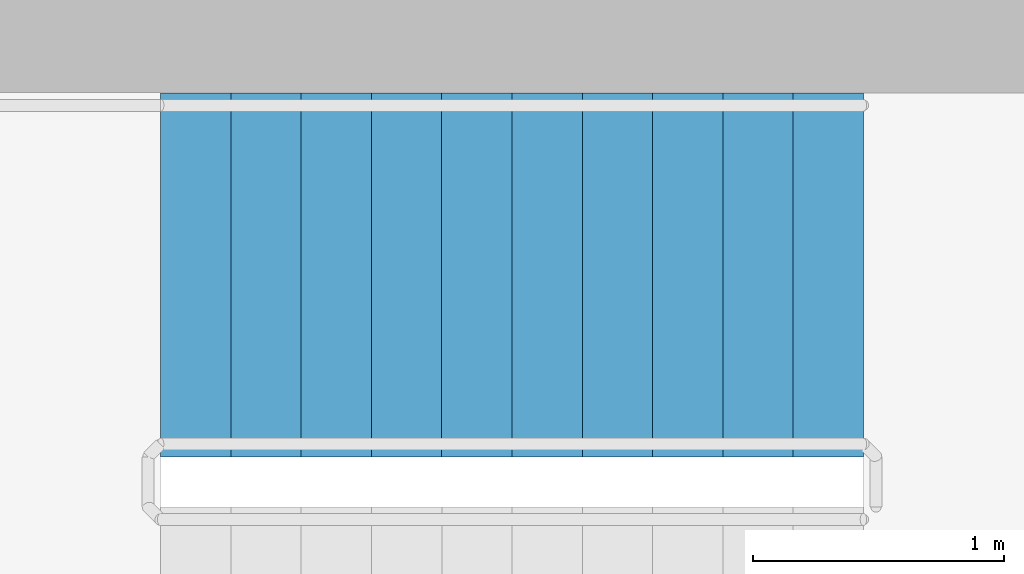
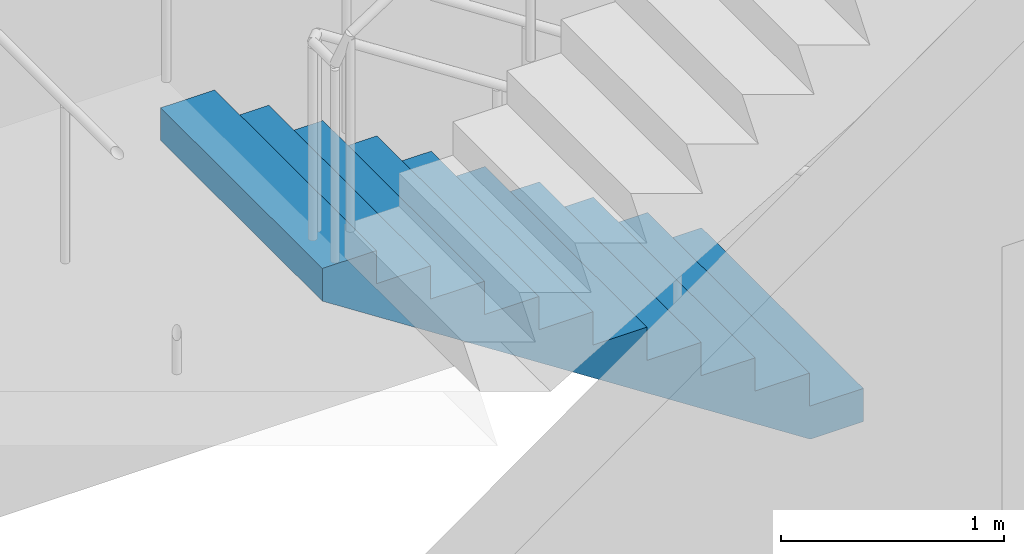
# One storey, part 10 of 12: 1 stair flight, 1 element without a shape of its own.
"""IFC4 building model written with IfcOpenShell, lengths in metres."""

from ifc_helpers import new_model, si_unit, direction, frame, origin, place, context, subcontext, project, spatial, polyline, outline, extrude, material, type_object, element, aggregate, save


model = new_model("IFC4")

# Units and contexts
model_context = context("Model", 3, precision=1e-05, world=origin(), true_north=direction((0.0, 1.0)))
body_context = subcontext(model_context, "Body", "Model", "MODEL_VIEW")
ifc_project = project(units=[si_unit("LENGTHUNIT", "METRE"), si_unit("AREAUNIT", "SQUARE_METRE"), si_unit("VOLUMEUNIT", "CUBIC_METRE"), si_unit("PLANEANGLEUNIT", "RADIAN"), si_unit("MASSUNIT", "GRAM", prefix="KILO")], contexts=[model_context])

# Site, building, storey
site_placement = place(None, origin())
site = spatial("IfcSite", under=ifc_project, at=site_placement, CompositionType="ELEMENT")
building_placement = place(site_placement, origin())
building = spatial("IfcBuilding", under=site, at=building_placement, Name="Verdant Reach Tower", CompositionType="ELEMENT")
storey_placement = place(building_placement, frame((0.0, 0.0, 278.0)))
storey = spatial("IfcBuildingStorey", under=building, at=storey_placement, Name="L64", CompositionType="ELEMENT", Elevation=278.0)

# Stair, stair flight
ifc_material = material(Name="Concrete C40/50", Category="concrete")
stair_type = type_object("IfcStairType", Name="CO-STAIR", PredefinedType="HALF_TURN_STAIR", material=ifc_material)
stair_placement = place(storey_placement, origin())
stair = element("IfcStair", 1, at=stair_placement, inside=storey, type_object=stair_type, Name="L64 Exit stair 3", PredefinedType="HALF_TURN_STAIR")
stair_flight_type = type_object("IfcStairFlightType", Name="CO-STAIR-FLIGHT", PredefinedType="STRAIGHT", material=ifc_material)
stair_flight_placement = place(storey_placement, frame((11.14990234375, 36.875, 0.0), z_axis=(0.0, 0.0, 1.0), x_axis=(-1.0, 0.0, 0.0)))
stair_flight = element("IfcStairFlight", 2, at=stair_flight_placement, type_object=stair_flight_type, Name="ST-3 flight 1", NumberOfRisers=11, NumberOfTreads=10, PredefinedType="STRAIGHT", RiserHeight=0.181818182, TreadLength=0.28, context=body_context, shape_type="SweptSolid", body=[
    extrude(outline(polyline([(0.0, 0.0), (0.0, 0.181884765625), (0.280029296875, 0.181884765625), (0.280029296875, 0.363525390625), (0.56005859375, 0.363525390625), (0.56005859375, 0.54541015625), (0.840087890625, 0.54541015625), (0.840087890625, 0.727294921875), (1.1201171875, 0.727294921875), (1.1201171875, 0.9091796875), (1.39990234375, 0.9091796875), (1.39990234375, 1.0908203125), (1.679931640625, 1.0908203125), (1.679931640625, 1.272705078125), (1.9599609375, 1.272705078125), (1.9599609375, 1.45458984375), (2.239990234375, 1.45458984375), (2.239990234375, 1.636474609375), (2.52001953125, 1.636474609375), (2.52001953125, 1.818115234375), (2.800048828125, 1.818115234375), (2.800048828125, 2.0), (2.800048828125, 1.639404296875), (0.275146484375, 0.0), (0.0, 0.0)])), frame((0.0, 0.72509765625, 0.0), z_axis=(0.0, -1.0, 0.0), x_axis=(1.0, 0.0, 0.0)), (0.0, 0.0, 1.0), 1.449951171875),
])
aggregate(stair, [stair_flight])

save(model, "model.ifc")
